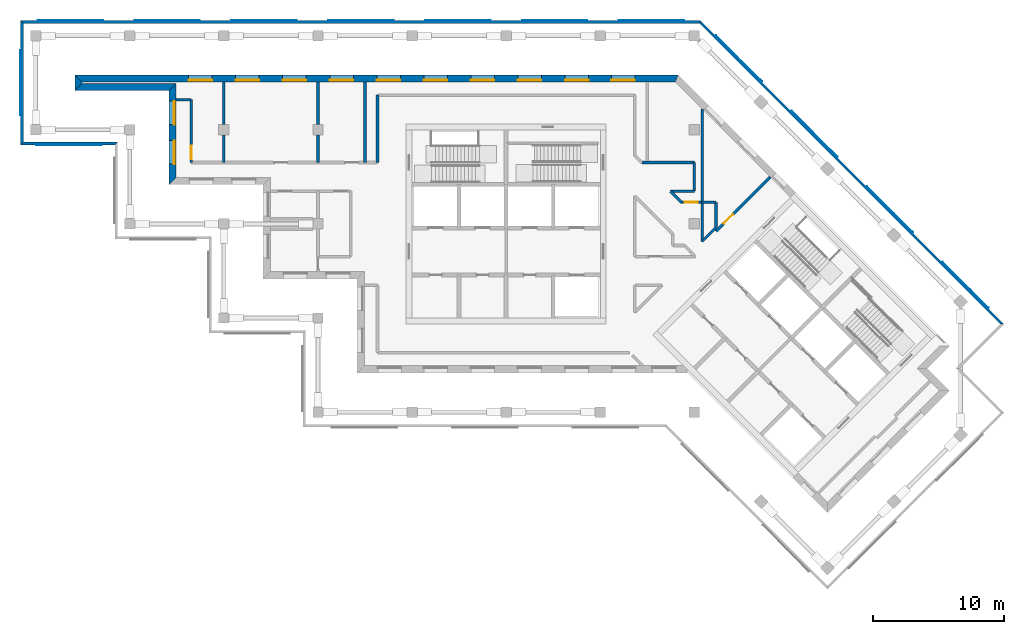
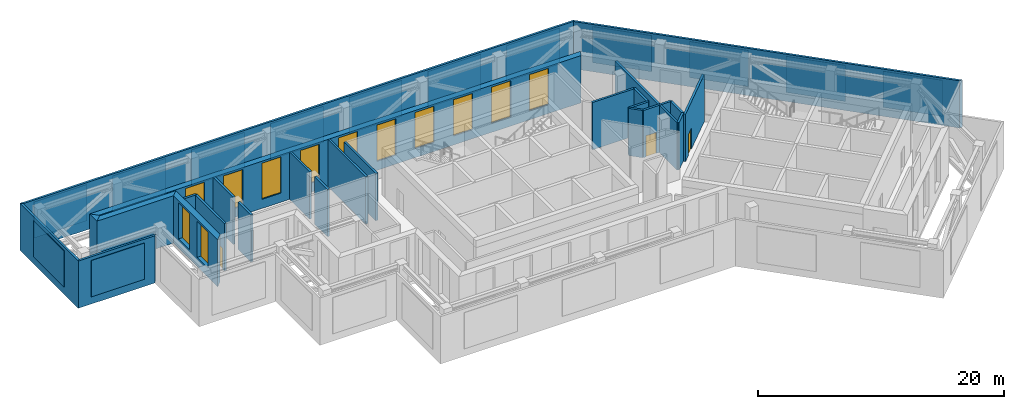
# One storey, part 5 of 9: 27 walls, 13 plates, 12 windows, 3 doors, 15 openings.
"""IFC4 building model written with IfcOpenShell, lengths in metres."""

from ifc_helpers import new_model, si_unit, direction, frame, frame_2d, origin, place, context, subcontext, project, spatial, polyline, rectangle, outline, extrude, material, layer, layer_set, type_object, element, fill, aggregate, save


model = new_model("IFC4")

# Units and contexts
model_context = context("Model", 3, precision=1e-05, world=origin(), true_north=direction((0.0, 1.0)))
body_context = subcontext(model_context, "Body", "Model", "MODEL_VIEW")
ifc_project = project(units=[si_unit("LENGTHUNIT", "METRE"), si_unit("AREAUNIT", "SQUARE_METRE"), si_unit("VOLUMEUNIT", "CUBIC_METRE"), si_unit("PLANEANGLEUNIT", "RADIAN"), si_unit("MASSUNIT", "GRAM", prefix="KILO")], contexts=[model_context])

# Plate
ifc_material_1 = material(Name="Aluminium louvre", Category="aluminium")
ifc_layer_1 = layer(ifc_material_1, 0.05)
ifc_layer_set_1 = layer_set([ifc_layer_1], Name="Belt louvre panel 5000x3600")
plate_type = type_object("IfcPlateType", Name="Belt louvre panel 5000x3600", PredefinedType="SHEET", material=ifc_layer_set_1)
site_placement = place(None, origin())
building_placement = place(site_placement, origin())
storey_placement = place(building_placement, frame((0.0, 0.0, 234.6)))
plate_1_placement = place(storey_placement, frame((101.7315, 51.1655, 0.75), z_axis=(0.7071167811, 0.7070967812, 0.0), x_axis=(-0.7070967812, 0.7071167811, 0.0)))
plate_1 = element("IfcPlate", 1, at=plate_1_placement, type_object=plate_type, Name="Belt louvre panel L64 10.1", PredefinedType="SHEET", context=body_context, shape_type="SweptSolid", body=[
    extrude(outline(polyline([(0.0, 0.0), (5.0, 0.0), (5.0, 3.6), (0.0, 3.6), (0.0, 0.0)])), origin(), (0.0, 0.0, -1.0), 0.05),
])

plate_2_placement = place(storey_placement, frame((95.9536, 56.9434, 0.75), z_axis=(0.7071167811, 0.7070967812, 0.0), x_axis=(-0.7070967812, 0.7071167811, 0.0)))
plate_2 = element("IfcPlate", 2, at=plate_2_placement, type_object=plate_type, Name="Belt louvre panel L64 11.2", PredefinedType="SHEET", context=body_context, shape_type="SweptSolid", body=[
    extrude(outline(polyline([(0.0, 0.0), (5.0, 0.0), (5.0, 3.6), (0.0, 3.6), (0.0, 0.0)])), origin(), (0.0, 0.0, -1.0), 0.05),
])

plate_3_placement = place(storey_placement, frame((90.1756, 62.7214, 0.75), z_axis=(0.7071067812, 0.7071067812, 0.0), x_axis=(-0.7071067812, 0.7071067812, 0.0)))
plate_3 = element("IfcPlate", 3, at=plate_3_placement, type_object=plate_type, Name="Belt louvre panel L64 12.3", PredefinedType="SHEET", context=body_context, shape_type="SweptSolid", body=[
    extrude(outline(polyline([(0.0, 0.0), (5.0, 0.0), (5.0, 3.6), (0.0, 3.6), (0.0, 0.0)])), origin(), (0.0, 0.0, -1.0), 0.05),
])

plate_4_placement = place(storey_placement, frame((84.3977, 68.4993, 0.75), z_axis=(0.7071167811, 0.7070967812, 0.0), x_axis=(-0.7070967812, 0.7071167811, 0.0)))
plate_4 = element("IfcPlate", 4, at=plate_4_placement, type_object=plate_type, Name="Belt louvre panel L64 13.4", PredefinedType="SHEET", context=body_context, shape_type="SweptSolid", body=[
    extrude(outline(polyline([(0.0, 0.0), (5.0, 0.0), (5.0, 3.6), (0.0, 3.6), (0.0, 0.0)])), origin(), (0.0, 0.0, -1.0), 0.05),
])

plate_5_placement = place(storey_placement, frame((78.4288, 73.2, 0.75), z_axis=(0.0, 1.0, 0.0), x_axis=(-1.0, 0.0, 0.0)))
plate_5 = element("IfcPlate", 5, at=plate_5_placement, type_object=plate_type, Name="Belt louvre panel L64 23.1", PredefinedType="SHEET", context=body_context, shape_type="SweptSolid", body=[
    extrude(outline(polyline([(0.0, 0.0), (5.0, 0.0), (5.0, 3.6), (0.0, 3.6), (0.0, 0.0)])), origin(), (0.0, 0.0, -1.0), 0.05),
])

plate_6_placement = place(storey_placement, frame((71.0167, 73.2, 0.75), z_axis=(0.0, 1.0, 0.0), x_axis=(-1.0, 0.0, 0.0)))
plate_6 = element("IfcPlate", 6, at=plate_6_placement, type_object=plate_type, Name="Belt louvre panel L64 24.2", PredefinedType="SHEET", context=body_context, shape_type="SweptSolid", body=[
    extrude(outline(polyline([(0.0, 0.0), (5.0, 0.0), (5.0, 3.6), (0.0, 3.6), (0.0, 0.0)])), origin(), (0.0, 0.0, -1.0), 0.05),
])

plate_7_placement = place(storey_placement, frame((63.6046, 73.2, 0.75), z_axis=(0.0, 1.0, 0.0), x_axis=(-1.0, 0.0, 0.0)))
plate_7 = element("IfcPlate", 7, at=plate_7_placement, type_object=plate_type, Name="Belt louvre panel L64 25.3", PredefinedType="SHEET", context=body_context, shape_type="SweptSolid", body=[
    extrude(outline(polyline([(0.0, 0.0), (5.0, 0.0), (5.0, 3.6), (0.0, 3.6), (0.0, 0.0)])), origin(), (0.0, 0.0, -1.0), 0.05),
])

plate_8_placement = place(storey_placement, frame((56.1924, 73.2, 0.75), z_axis=(0.0, 1.0, 0.0), x_axis=(-1.0, 0.0, 0.0)))
plate_8 = element("IfcPlate", 8, at=plate_8_placement, type_object=plate_type, Name="Belt louvre panel L64 26.4", PredefinedType="SHEET", context=body_context, shape_type="SweptSolid", body=[
    extrude(outline(polyline([(0.0, 0.0), (5.0, 0.0), (5.0, 3.6), (0.0, 3.6), (0.0, 0.0)])), origin(), (0.0, 0.0, -1.0), 0.05),
])

plate_9_placement = place(storey_placement, frame((48.7803, 73.2, 0.75), z_axis=(0.0, 1.0, 0.0), x_axis=(-1.0, 0.0, 0.0)))
plate_9 = element("IfcPlate", 9, at=plate_9_placement, type_object=plate_type, Name="Belt louvre panel L64 27.5", PredefinedType="SHEET", context=body_context, shape_type="SweptSolid", body=[
    extrude(outline(polyline([(0.0, 0.0), (5.0, 0.0), (5.0, 3.6), (0.0, 3.6), (0.0, 0.0)])), origin(), (0.0, 0.0, -1.0), 0.05),
])

plate_10_placement = place(storey_placement, frame((41.3682, 73.2, 0.75), z_axis=(0.0, 1.0, 0.0), x_axis=(-1.0, 0.0, 0.0)))
plate_10 = element("IfcPlate", 10, at=plate_10_placement, type_object=plate_type, Name="Belt louvre panel L64 28.6", PredefinedType="SHEET", context=body_context, shape_type="SweptSolid", body=[
    extrude(outline(polyline([(0.0, 0.0), (5.0, 0.0), (5.0, 3.6), (0.0, 3.6), (0.0, 0.0)])), origin(), (0.0, 0.0, -1.0), 0.05),
])

plate_11_placement = place(storey_placement, frame((33.956, 73.2, 0.75), z_axis=(0.0, 1.0, 0.0), x_axis=(-1.0, 0.0, 0.0)))
plate_11 = element("IfcPlate", 11, at=plate_11_placement, type_object=plate_type, Name="Belt louvre panel L64 29.7", PredefinedType="SHEET", context=body_context, shape_type="SweptSolid", body=[
    extrude(outline(polyline([(0.0, 0.0), (5.0, 0.0), (5.0, 3.6), (0.0, 3.6), (0.0, 0.0)])), origin(), (0.0, 0.0, -1.0), 0.05),
])

plate_12_placement = place(storey_placement, frame((27.6, 70.9, 0.75), z_axis=(-1.0, 0.0, 0.0), x_axis=(0.0, -1.0, 0.0)))
plate_12 = element("IfcPlate", 12, at=plate_12_placement, type_object=plate_type, Name="Belt louvre panel L64 33.1", PredefinedType="SHEET", context=body_context, shape_type="SweptSolid", body=[
    extrude(outline(polyline([(0.0, 0.0), (5.0, 0.0), (5.0, 3.6), (0.0, 3.6), (0.0, 0.0)])), origin(), (0.0, 0.0, -1.0), 0.05),
])

plate_13_placement = place(storey_placement, frame((28.85, 63.6, 0.75), z_axis=(0.0, -1.0, 0.0), x_axis=(1.0, 0.0, 0.0)))
plate_13 = element("IfcPlate", 13, at=plate_13_placement, type_object=plate_type, Name="Belt louvre panel L64 37.1", PredefinedType="SHEET", context=body_context, shape_type="SweptSolid", body=[
    extrude(outline(polyline([(0.0, 0.0), (5.0, 0.0), (5.0, 3.6), (0.0, 3.6), (0.0, 0.0)])), origin(), (0.0, 0.0, -1.0), 0.05),
])

# Site, building, storey
site = spatial("IfcSite", under=ifc_project, at=site_placement, CompositionType="ELEMENT")
building = spatial("IfcBuilding", under=site, at=building_placement, Name="Windrow Commons", CompositionType="ELEMENT")
storey = spatial("IfcBuildingStorey", under=building, at=storey_placement, Name="L64", CompositionType="ELEMENT", Elevation=234.6)

# Wall
ifc_material_2 = material(Name="Concrete C40/50 precast screen panel", Category="concrete")
ifc_layer_2 = layer(ifc_material_2, 0.2)
ifc_layer_set_2 = layer_set([ifc_layer_2], Name="Belt screen wall 200")
wall_type_1 = type_object("IfcWallType", Name="Belt screen wall 200", PredefinedType="SOLIDWALL", material=ifc_layer_set_2)
wall_1_placement = place(storey_placement, frame((102.7467, 49.9383, 0.0), z_axis=(0.0, 0.0, 1.0), x_axis=(-0.7071083109, 0.7071052514, 0.0)))
wall_1 = element("IfcWall", 14, at=wall_1_placement, inside=storey, type_object=wall_type_1, Name="Belt screen wall L64 10", PredefinedType="SOLIDWALL", context=body_context, shape_type="SweptSolid", body=[
    extrude(outline(polyline([(-0.1, -0.1), (32.7263, -0.1), (32.6435, 0.1), (0.1, 0.1), (-0.1, -0.1)])), origin(), (0.0, 0.0, 1.0), 4.7),
])

aggregate(wall_1, [plate_1, plate_2, plate_3, plate_4])

wall_2_placement = place(storey_placement, frame((79.6349, 73.05, 0.0), z_axis=(0.0, 0.0, 1.0), x_axis=(-1.0, 0.0, 0.0)))
wall_2 = element("IfcWall", 15, at=wall_2_placement, inside=storey, type_object=wall_type_1, Name="Belt screen wall L64 23", PredefinedType="SOLIDWALL", context=body_context, shape_type="SweptSolid", body=[
    extrude(outline(polyline([(-0.0414, -0.1), (51.9849, -0.1), (51.7849, 0.1), (0.0414, 0.1), (-0.0414, -0.1)])), origin(), (0.0, 0.0, 1.0), 4.7),
])

aggregate(wall_2, [plate_5, plate_6, plate_7, plate_8, plate_9, plate_10, plate_11])

wall_3_placement = place(storey_placement, frame((27.75, 73.05, 0.0), z_axis=(0.0, 0.0, 1.0), x_axis=(0.0, -1.0, 0.0)))
wall_3 = element("IfcWall", 16, at=wall_3_placement, inside=storey, type_object=wall_type_1, Name="Belt screen wall L64 33", PredefinedType="SOLIDWALL", context=body_context, shape_type="SweptSolid", body=[
    extrude(outline(polyline([(-0.1, -0.1), (9.4, -0.1), (9.2, 0.1), (0.1, 0.1), (-0.1, -0.1)])), origin(), (0.0, 0.0, 1.0), 4.7),
])

aggregate(wall_3, [plate_12])

wall_4_placement = place(storey_placement, frame((27.75, 63.75, 0.0), z_axis=(0.0, 0.0, 1.0), x_axis=(1.0, 0.0, 0.0)))
wall_4 = element("IfcWall", 17, at=wall_4_placement, inside=storey, type_object=wall_type_1, Name="Belt screen wall L64 37", PredefinedType="SOLIDWALL", context=body_context, shape_type="SweptSolid", body=[
    extrude(outline(polyline([(-0.1, -0.1), (7.1, -0.1), (7.3, 0.1), (0.1, 0.1), (-0.1, -0.1)])), origin(), (0.0, 0.0, 1.0), 4.7),
])

aggregate(wall_4, [plate_13])

# Wall, openings, windows
ifc_material_3 = material(Name="Brick masonry, red clay brick", Category="masonry")
ifc_layer_3 = layer(ifc_material_3, 0.55)
ifc_layer_set_3 = layer_set([ifc_layer_3], Name="Brick facade wall 550")
wall_type_2 = type_object("IfcWallType", Name="Brick facade wall 550", PredefinedType="SOLIDWALL", material=ifc_layer_set_3)
wall_5_placement = place(storey_placement, frame((77.8435, 68.725, 0.0), z_axis=(0.0, 0.0, 1.0), x_axis=(-1.0, 0.0, 0.0)))
wall_5 = element("IfcWall", 18, at=wall_5_placement, inside=storey, type_object=wall_type_2, Name="Brick facade wall L64 4", PredefinedType="SOLIDWALL", context=body_context, shape_type="SweptSolid", body=[
    extrude(outline(polyline([(-0.1139, -0.275), (46.0435, -0.275), (45.4935, 0.275), (0.1139, 0.275), (-0.1139, -0.275)])), origin(), (0.0, 0.0, 1.0), 4.7),
])
opening_1_placement = place(wall_5_placement, frame((3.1935, 0.0, 0.9)))
opening_1 = element("IfcOpeningElement", 19, at=opening_1_placement, cuts=wall_5, Name="Opening LV2", PredefinedType="OPENING", context=body_context, shape_type="SweptSolid", body=[
    extrude(rectangle(XDim=1.8, YDim=3.6, at=frame_2d((0.9, 1.8))), frame((0.0, 0.285, 0.0), z_axis=(0.0, -1.0, 0.0), x_axis=(1.0, 0.0, 0.0)), (0.0, 0.0, 1.0), 0.57),
])
opening_2_placement = place(wall_5_placement, frame((6.7435, 0.0, 0.9)))
opening_2 = element("IfcOpeningElement", 20, at=opening_2_placement, cuts=wall_5, Name="Opening LV2", PredefinedType="OPENING", context=body_context, shape_type="SweptSolid", body=[
    extrude(rectangle(XDim=1.8, YDim=3.6, at=frame_2d((0.9, 1.8))), frame((0.0, 0.285, 0.0), z_axis=(0.0, -1.0, 0.0), x_axis=(1.0, 0.0, 0.0)), (0.0, 0.0, 1.0), 0.57),
])
opening_3_placement = place(wall_5_placement, frame((10.3435, 0.0, 0.9)))
opening_3 = element("IfcOpeningElement", 21, at=opening_3_placement, cuts=wall_5, Name="Opening LV2", PredefinedType="OPENING", context=body_context, shape_type="SweptSolid", body=[
    extrude(rectangle(XDim=1.8, YDim=3.6, at=frame_2d((0.9, 1.8))), frame((0.0, 0.285, 0.0), z_axis=(0.0, -1.0, 0.0), x_axis=(1.0, 0.0, 0.0)), (0.0, 0.0, 1.0), 0.57),
])
opening_4_placement = place(wall_5_placement, frame((13.9435, 0.0, 0.9)))
opening_4 = element("IfcOpeningElement", 22, at=opening_4_placement, cuts=wall_5, Name="Opening LV2", PredefinedType="OPENING", context=body_context, shape_type="SweptSolid", body=[
    extrude(rectangle(XDim=1.8, YDim=3.6, at=frame_2d((0.9, 1.8))), frame((0.0, 0.285, 0.0), z_axis=(0.0, -1.0, 0.0), x_axis=(1.0, 0.0, 0.0)), (0.0, 0.0, 1.0), 0.57),
])
opening_5_placement = place(wall_5_placement, frame((17.5435, 0.0, 0.9)))
opening_5 = element("IfcOpeningElement", 23, at=opening_5_placement, cuts=wall_5, Name="Opening LV2", PredefinedType="OPENING", context=body_context, shape_type="SweptSolid", body=[
    extrude(rectangle(XDim=1.8, YDim=3.6, at=frame_2d((0.9, 1.8))), frame((0.0, 0.285, 0.0), z_axis=(0.0, -1.0, 0.0), x_axis=(1.0, 0.0, 0.0)), (0.0, 0.0, 1.0), 0.57),
])
opening_6_placement = place(wall_5_placement, frame((21.1435, 0.0, 0.9)))
opening_6 = element("IfcOpeningElement", 24, at=opening_6_placement, cuts=wall_5, Name="Opening LV2", PredefinedType="OPENING", context=body_context, shape_type="SweptSolid", body=[
    extrude(rectangle(XDim=1.8, YDim=3.6, at=frame_2d((0.9, 1.8))), frame((0.0, 0.285, 0.0), z_axis=(0.0, -1.0, 0.0), x_axis=(1.0, 0.0, 0.0)), (0.0, 0.0, 1.0), 0.57),
])
opening_7_placement = place(wall_5_placement, frame((24.7435, 0.0, 0.9)))
opening_7 = element("IfcOpeningElement", 25, at=opening_7_placement, cuts=wall_5, Name="Opening LV2", PredefinedType="OPENING", context=body_context, shape_type="SweptSolid", body=[
    extrude(rectangle(XDim=1.8, YDim=3.6, at=frame_2d((0.9, 1.8))), frame((0.0, 0.285, 0.0), z_axis=(0.0, -1.0, 0.0), x_axis=(1.0, 0.0, 0.0)), (0.0, 0.0, 1.0), 0.57),
])
opening_8_placement = place(wall_5_placement, frame((28.3435, 0.0, 0.9)))
opening_8 = element("IfcOpeningElement", 26, at=opening_8_placement, cuts=wall_5, Name="Opening LV2", PredefinedType="OPENING", context=body_context, shape_type="SweptSolid", body=[
    extrude(rectangle(XDim=1.8, YDim=3.6, at=frame_2d((0.9, 1.8))), frame((0.0, 0.285, 0.0), z_axis=(0.0, -1.0, 0.0), x_axis=(1.0, 0.0, 0.0)), (0.0, 0.0, 1.0), 0.57),
])
opening_9_placement = place(wall_5_placement, frame((31.9435, 0.0, 0.9)))
opening_9 = element("IfcOpeningElement", 27, at=opening_9_placement, cuts=wall_5, Name="Opening LV2", PredefinedType="OPENING", context=body_context, shape_type="SweptSolid", body=[
    extrude(rectangle(XDim=1.8, YDim=3.6, at=frame_2d((0.9, 1.8))), frame((0.0, 0.285, 0.0), z_axis=(0.0, -1.0, 0.0), x_axis=(1.0, 0.0, 0.0)), (0.0, 0.0, 1.0), 0.57),
])
opening_10_placement = place(wall_5_placement, frame((35.5435, 0.0, 0.9)))
opening_10 = element("IfcOpeningElement", 28, at=opening_10_placement, cuts=wall_5, Name="Opening LV2", PredefinedType="OPENING", context=body_context, shape_type="SweptSolid", body=[
    extrude(rectangle(XDim=1.8, YDim=3.6, at=frame_2d((0.9, 1.8))), frame((0.0, 0.285, 0.0), z_axis=(0.0, -1.0, 0.0), x_axis=(1.0, 0.0, 0.0)), (0.0, 0.0, 1.0), 0.57),
])
ifc_material_4 = material(Name="Aluminium 6063-T6 anodised louvre", Category="aluminium")
window_type = type_object("IfcWindowType", Name="Plant louvre 1800x3600", PartitioningType="SINGLE_PANEL", PredefinedType="WINDOW", material=ifc_material_4)
window_1_placement = place(opening_1_placement, origin())
window_1 = element("IfcWindow", 29, at=window_1_placement, inside=storey, type_object=window_type, Name="Louvre L64 4.1", OverallHeight=3.6, OverallWidth=1.8, PartitioningType="SINGLE_PANEL", PredefinedType="WINDOW", context=body_context, shape_type="SweptSolid", body=[
    extrude(rectangle(XDim=1.8, YDim=3.6, at=frame_2d((0.9, 1.8))), frame((0.0, 0.155, 0.0), z_axis=(0.0, -1.0, 0.0), x_axis=(1.0, 0.0, 0.0)), (0.0, 0.0, 1.0), 0.06),
])
fill(opening_1, window_1)
window_2_placement = place(opening_2_placement, origin())
window_2 = element("IfcWindow", 30, at=window_2_placement, inside=storey, type_object=window_type, Name="Louvre L64 4.2", OverallHeight=3.6, OverallWidth=1.8, PartitioningType="SINGLE_PANEL", PredefinedType="WINDOW", context=body_context, shape_type="SweptSolid", body=[
    extrude(rectangle(XDim=1.8, YDim=3.6, at=frame_2d((0.9, 1.8))), frame((0.0, 0.155, 0.0), z_axis=(0.0, -1.0, 0.0), x_axis=(1.0, 0.0, 0.0)), (0.0, 0.0, 1.0), 0.06),
])
fill(opening_2, window_2)
window_3_placement = place(opening_3_placement, origin())
window_3 = element("IfcWindow", 31, at=window_3_placement, inside=storey, type_object=window_type, Name="Louvre L64 4.3", OverallHeight=3.6, OverallWidth=1.8, PartitioningType="SINGLE_PANEL", PredefinedType="WINDOW", context=body_context, shape_type="SweptSolid", body=[
    extrude(rectangle(XDim=1.8, YDim=3.6, at=frame_2d((0.9, 1.8))), frame((0.0, 0.155, 0.0), z_axis=(0.0, -1.0, 0.0), x_axis=(1.0, 0.0, 0.0)), (0.0, 0.0, 1.0), 0.06),
])
fill(opening_3, window_3)
window_4_placement = place(opening_4_placement, origin())
window_4 = element("IfcWindow", 32, at=window_4_placement, inside=storey, type_object=window_type, Name="Louvre L64 4.4", OverallHeight=3.6, OverallWidth=1.8, PartitioningType="SINGLE_PANEL", PredefinedType="WINDOW", context=body_context, shape_type="SweptSolid", body=[
    extrude(rectangle(XDim=1.8, YDim=3.6, at=frame_2d((0.9, 1.8))), frame((0.0, 0.155, 0.0), z_axis=(0.0, -1.0, 0.0), x_axis=(1.0, 0.0, 0.0)), (0.0, 0.0, 1.0), 0.06),
])
fill(opening_4, window_4)
window_5_placement = place(opening_5_placement, origin())
window_5 = element("IfcWindow", 33, at=window_5_placement, inside=storey, type_object=window_type, Name="Louvre L64 4.5", OverallHeight=3.6, OverallWidth=1.8, PartitioningType="SINGLE_PANEL", PredefinedType="WINDOW", context=body_context, shape_type="SweptSolid", body=[
    extrude(rectangle(XDim=1.8, YDim=3.6, at=frame_2d((0.9, 1.8))), frame((0.0, 0.155, 0.0), z_axis=(0.0, -1.0, 0.0), x_axis=(1.0, 0.0, 0.0)), (0.0, 0.0, 1.0), 0.06),
])
fill(opening_5, window_5)
window_6_placement = place(opening_6_placement, origin())
window_6 = element("IfcWindow", 34, at=window_6_placement, inside=storey, type_object=window_type, Name="Louvre L64 4.6", OverallHeight=3.6, OverallWidth=1.8, PartitioningType="SINGLE_PANEL", PredefinedType="WINDOW", context=body_context, shape_type="SweptSolid", body=[
    extrude(rectangle(XDim=1.8, YDim=3.6, at=frame_2d((0.9, 1.8))), frame((0.0, 0.155, 0.0), z_axis=(0.0, -1.0, 0.0), x_axis=(1.0, 0.0, 0.0)), (0.0, 0.0, 1.0), 0.06),
])
fill(opening_6, window_6)
window_7_placement = place(opening_7_placement, origin())
window_7 = element("IfcWindow", 35, at=window_7_placement, inside=storey, type_object=window_type, Name="Louvre L64 4.7", OverallHeight=3.6, OverallWidth=1.8, PartitioningType="SINGLE_PANEL", PredefinedType="WINDOW", context=body_context, shape_type="SweptSolid", body=[
    extrude(rectangle(XDim=1.8, YDim=3.6, at=frame_2d((0.9, 1.8))), frame((0.0, 0.155, 0.0), z_axis=(0.0, -1.0, 0.0), x_axis=(1.0, 0.0, 0.0)), (0.0, 0.0, 1.0), 0.06),
])
fill(opening_7, window_7)
window_8_placement = place(opening_8_placement, origin())
window_8 = element("IfcWindow", 36, at=window_8_placement, inside=storey, type_object=window_type, Name="Louvre L64 4.8", OverallHeight=3.6, OverallWidth=1.8, PartitioningType="SINGLE_PANEL", PredefinedType="WINDOW", context=body_context, shape_type="SweptSolid", body=[
    extrude(rectangle(XDim=1.8, YDim=3.6, at=frame_2d((0.9, 1.8))), frame((0.0, 0.155, 0.0), z_axis=(0.0, -1.0, 0.0), x_axis=(1.0, 0.0, 0.0)), (0.0, 0.0, 1.0), 0.06),
])
fill(opening_8, window_8)
window_9_placement = place(opening_9_placement, origin())
window_9 = element("IfcWindow", 37, at=window_9_placement, inside=storey, type_object=window_type, Name="Louvre L64 4.9", OverallHeight=3.6, OverallWidth=1.8, PartitioningType="SINGLE_PANEL", PredefinedType="WINDOW", context=body_context, shape_type="SweptSolid", body=[
    extrude(rectangle(XDim=1.8, YDim=3.6, at=frame_2d((0.9, 1.8))), frame((0.0, 0.155, 0.0), z_axis=(0.0, -1.0, 0.0), x_axis=(1.0, 0.0, 0.0)), (0.0, 0.0, 1.0), 0.06),
])
fill(opening_9, window_9)
window_10_placement = place(opening_10_placement, origin())
window_10 = element("IfcWindow", 38, at=window_10_placement, inside=storey, type_object=window_type, Name="Louvre L64 4.10", OverallHeight=3.6, OverallWidth=1.8, PartitioningType="SINGLE_PANEL", PredefinedType="WINDOW", context=body_context, shape_type="SweptSolid", body=[
    extrude(rectangle(XDim=1.8, YDim=3.6, at=frame_2d((0.9, 1.8))), frame((0.0, 0.155, 0.0), z_axis=(0.0, -1.0, 0.0), x_axis=(1.0, 0.0, 0.0)), (0.0, 0.0, 1.0), 0.06),
])
fill(opening_10, window_10)

# Walls
wall_6_placement = place(storey_placement, frame((32.075, 68.725, 0.0), z_axis=(0.0, 0.0, 1.0), x_axis=(0.0, -1.0, 0.0)))
element("IfcWall", 39, at=wall_6_placement, inside=storey, type_object=wall_type_2, Name="Brick facade wall L64 5", PredefinedType="SOLIDWALL", context=body_context, shape_type="SweptSolid", body=[
    extrude(outline(polyline([(-0.275, -0.275), (0.925, -0.275), (0.375, 0.275), (0.275, 0.275), (-0.275, -0.275)])), origin(), (0.0, 0.0, 1.0), 4.7),
])
wall_7_placement = place(storey_placement, frame((32.075, 68.075, 0.0), z_axis=(0.0, 0.0, 1.0), x_axis=(1.0, 0.0, 0.0)))
element("IfcWall", 40, at=wall_7_placement, inside=storey, type_object=wall_type_2, Name="Brick facade wall L64 6", PredefinedType="SOLIDWALL", context=body_context, shape_type="SweptSolid", body=[
    extrude(outline(polyline([(-0.275, -0.275), (6.925, -0.275), (7.475, 0.275), (0.275, 0.275), (-0.275, -0.275)])), origin(), (0.0, 0.0, 1.0), 4.7),
])

# Wall, openings, windows
wall_8_placement = place(storey_placement, frame((39.275, 68.075, 0.0), z_axis=(0.0, 0.0, 1.0), x_axis=(0.0, -1.0, 0.0)))
wall_8 = element("IfcWall", 41, at=wall_8_placement, inside=storey, type_object=wall_type_2, Name="Brick facade wall L64 7", PredefinedType="SOLIDWALL", context=body_context, shape_type="SweptSolid", body=[
    extrude(outline(polyline([(0.275, -0.275), (7.475, -0.275), (6.925, 0.275), (-0.275, 0.275), (0.275, -0.275)])), origin(), (0.0, 0.0, 1.0), 4.7),
])
opening_11_placement = place(wall_8_placement, frame((1.0875, 0.0, 0.9)))
opening_11 = element("IfcOpeningElement", 42, at=opening_11_placement, cuts=wall_8, Name="Opening LV2", PredefinedType="OPENING", context=body_context, shape_type="SweptSolid", body=[
    extrude(rectangle(XDim=1.8, YDim=3.6, at=frame_2d((0.9, 1.8))), frame((0.0, 0.285, 0.0), z_axis=(0.0, -1.0, 0.0), x_axis=(1.0, 0.0, 0.0)), (0.0, 0.0, 1.0), 0.57),
])
opening_12_placement = place(wall_8_placement, frame((4.1, 0.0, 0.9)))
opening_12 = element("IfcOpeningElement", 43, at=opening_12_placement, cuts=wall_8, Name="Opening LV2", PredefinedType="OPENING", context=body_context, shape_type="SweptSolid", body=[
    extrude(rectangle(XDim=1.8, YDim=3.6, at=frame_2d((0.9, 1.8))), frame((0.0, 0.285, 0.0), z_axis=(0.0, -1.0, 0.0), x_axis=(1.0, 0.0, 0.0)), (0.0, 0.0, 1.0), 0.57),
])
window_11_placement = place(opening_11_placement, origin())
window_11 = element("IfcWindow", 44, at=window_11_placement, inside=storey, type_object=window_type, Name="Louvre L64 7.1", OverallHeight=3.6, OverallWidth=1.8, PartitioningType="SINGLE_PANEL", PredefinedType="WINDOW", context=body_context, shape_type="SweptSolid", body=[
    extrude(rectangle(XDim=1.8, YDim=3.6, at=frame_2d((0.9, 1.8))), frame((0.0, 0.155, 0.0), z_axis=(0.0, -1.0, 0.0), x_axis=(1.0, 0.0, 0.0)), (0.0, 0.0, 1.0), 0.06),
])
fill(opening_11, window_11)
window_12_placement = place(opening_12_placement, origin())
window_12 = element("IfcWindow", 45, at=window_12_placement, inside=storey, type_object=window_type, Name="Louvre L64 7.2", OverallHeight=3.6, OverallWidth=1.8, PartitioningType="SINGLE_PANEL", PredefinedType="WINDOW", context=body_context, shape_type="SweptSolid", body=[
    extrude(rectangle(XDim=1.8, YDim=3.6, at=frame_2d((0.9, 1.8))), frame((0.0, 0.155, 0.0), z_axis=(0.0, -1.0, 0.0), x_axis=(1.0, 0.0, 0.0)), (0.0, 0.0, 1.0), 0.06),
])
fill(opening_12, window_12)

# Wall, opening, door
ifc_material_5 = material(Name="Blockwork partition", Category="masonry")
ifc_layer_4 = layer(ifc_material_5, 0.2)
ifc_layer_set_4 = layer_set([ifc_layer_4], Name="IW-CORRIDOR-200")
wall_type_3 = type_object("IfcWallType", Name="IW-CORRIDOR-200", PredefinedType="PARTITIONING", material=ifc_layer_set_4)
wall_9_placement = place(storey_placement, frame((80.8497, 57.0343, 0.0), z_axis=(0.0, 0.0, 1.0), x_axis=(0.7071067812, 0.7071067812, 0.0)))
wall_9 = element("IfcWall", 46, at=wall_9_placement, inside=storey, type_object=wall_type_3, Name="W-L64-W008", PredefinedType="PARTITIONING", context=body_context, shape_type="SweptSolid", body=[
    extrude(rectangle(XDim=5.8659, YDim=0.2, at=frame_2d((2.9329, 0.0))), origin(), (0.0, 0.0, 1.0), 4.7),
])
opening_13_placement = place(wall_9_placement, frame((0.839, 0.0, 0.0)))
opening_13 = element("IfcOpeningElement", 47, at=opening_13_placement, cuts=wall_9, Name="Opening D410F", PredefinedType="OPENING", context=body_context, shape_type="SweptSolid", body=[
    extrude(rectangle(XDim=1.0, YDim=2.1, at=frame_2d((0.5, 1.05))), frame((0.0, 0.11, 0.0), z_axis=(0.0, -1.0, 0.0), x_axis=(1.0, 0.0, 0.0)), (0.0, 0.0, 1.0), 0.22),
])
ifc_material_6 = material(Name="Timber door leaf", Category="wood")
door_type = type_object("IfcDoorType", Name="DT-SERVICE-1000", OperationType="SINGLE_SWING_LEFT", PredefinedType="DOOR", material=ifc_material_6)
door_1_placement = place(opening_13_placement, origin())
door_1 = element("IfcDoor", 48, at=door_1_placement, inside=storey, type_object=door_type, Name="D-L64-D007", OperationType="SINGLE_SWING_RIGHT", OverallHeight=2.1, OverallWidth=1.0, PredefinedType="DOOR", context=body_context, shape_type="SweptSolid", body=[
    extrude(rectangle(XDim=1.0, YDim=2.1, at=frame_2d((0.5, 1.05))), frame((0.0, 0.025, 0.0), z_axis=(0.0, -1.0, 0.0), x_axis=(1.0, 0.0, 0.0)), (0.0, 0.0, 1.0), 0.05),
])
fill(opening_13, door_1)

# Wall
wall_10_placement = place(storey_placement, frame((54.95, 62.302, 0.0), z_axis=(0.0, 0.0, 1.0), x_axis=(0.0, 1.0, 0.0)))
element("IfcWall", 49, at=wall_10_placement, inside=storey, type_object=wall_type_3, Name="W-L64-W010", PredefinedType="PARTITIONING", context=body_context, shape_type="SweptSolid", body=[
    extrude(rectangle(XDim=5.148, YDim=0.2, at=frame_2d((2.574, 0.0))), origin(), (0.0, 0.0, 1.0), 4.7),
])

# Wall, opening, door
wall_11_placement = place(storey_placement, frame((40.7, 62.302, 0.0), z_axis=(0.0, 0.0, 1.0), x_axis=(0.0, 1.0, 0.0)))
wall_11 = element("IfcWall", 50, at=wall_11_placement, inside=storey, type_object=wall_type_3, Name="W-L64-W012", PredefinedType="PARTITIONING", context=body_context, shape_type="SweptSolid", body=[
    extrude(rectangle(XDim=4.798, YDim=0.2, at=frame_2d((2.399, 0.0))), origin(), (0.0, 0.0, 1.0), 4.7),
])
opening_14_placement = place(wall_11_placement, frame((0.2621, 0.0, 0.0)))
opening_14 = element("IfcOpeningElement", 51, at=opening_14_placement, cuts=wall_11, Name="Opening D410F", PredefinedType="OPENING", context=body_context, shape_type="SweptSolid", body=[
    extrude(rectangle(XDim=1.0, YDim=2.1, at=frame_2d((0.5, 1.05))), frame((0.0, 0.11, 0.0), z_axis=(0.0, -1.0, 0.0), x_axis=(1.0, 0.0, 0.0)), (0.0, 0.0, 1.0), 0.22),
])
door_2_placement = place(opening_14_placement, origin())
door_2 = element("IfcDoor", 52, at=door_2_placement, inside=storey, type_object=door_type, Name="D-L64-D003", OperationType="SINGLE_SWING_LEFT", OverallHeight=2.1, OverallWidth=1.0, PredefinedType="DOOR", context=body_context, shape_type="SweptSolid", body=[
    extrude(rectangle(XDim=1.0, YDim=2.1, at=frame_2d((0.5, 1.05))), frame((0.0, 0.025, 0.0), z_axis=(0.0, -1.0, 0.0), x_axis=(1.0, 0.0, 0.0)), (0.0, 0.0, 1.0), 0.05),
])
fill(opening_14, door_2)

# Walls
wall_12_placement = place(storey_placement, frame((75.182, 62.3, 0.0), z_axis=(0.0, 0.0, 1.0), x_axis=(1.0, 0.0, 0.0)))
element("IfcWall", 53, at=wall_12_placement, inside=storey, type_object=wall_type_3, Name="W-L64-W016", PredefinedType="PARTITIONING", context=body_context, shape_type="SweptSolid", body=[
    extrude(rectangle(XDim=4.018, YDim=0.2, at=frame_2d((2.009, 0.0))), origin(), (0.0, 0.0, 1.0), 4.7),
])
wall_13_placement = place(storey_placement, frame((79.8, 56.268, 0.0), z_axis=(0.0, 0.0, 1.0), x_axis=(0.0, 1.0, 0.0)))
element("IfcWall", 54, at=wall_13_placement, inside=storey, type_object=wall_type_3, Name="W-L64-W022", PredefinedType="PARTITIONING", context=body_context, shape_type="SweptSolid", body=[
    extrude(rectangle(XDim=2.982, YDim=0.2, at=frame_2d((1.491, 0.0))), origin(), (0.0, 0.0, 1.0), 4.7),
])
wall_14_placement = place(storey_placement, frame((79.2, 60.102, 0.0), z_axis=(0.0, 0.0, 1.0), x_axis=(0.0, 1.0, 0.0)))
element("IfcWall", 55, at=wall_14_placement, inside=storey, type_object=wall_type_3, Name="W-L64-W027", PredefinedType="PARTITIONING", context=body_context, shape_type="SweptSolid", body=[
    extrude(rectangle(XDim=2.198, YDim=0.2, at=frame_2d((1.099, 0.0))), origin(), (0.0, 0.0, 1.0), 4.7),
])
wall_15_placement = place(storey_placement, frame((77.384, 60.1, 0.0), z_axis=(0.0, 0.0, 1.0), x_axis=(1.0, 0.0, 0.0)))
element("IfcWall", 56, at=wall_15_placement, inside=storey, type_object=wall_type_3, Name="W-L64-W035", PredefinedType="PARTITIONING", context=body_context, shape_type="SweptSolid", body=[
    extrude(rectangle(XDim=1.814, YDim=0.2, at=frame_2d((0.907, 0.0))), origin(), (0.0, 0.0, 1.0), 4.7),
])

# Wall, opening, door
wall_16_placement = place(storey_placement, frame((78.232, 59.25, 0.0), z_axis=(0.0, 0.0, 1.0), x_axis=(1.0, 0.0, 0.0)))
wall_16 = element("IfcWall", 57, at=wall_16_placement, inside=storey, type_object=wall_type_3, Name="W-L64-W037", PredefinedType="PARTITIONING", context=body_context, shape_type="SweptSolid", body=[
    extrude(rectangle(XDim=1.568, YDim=0.2, at=frame_2d((0.784, 0.0))), origin(), (0.0, 0.0, 1.0), 4.7),
])
opening_15_placement = place(wall_16_placement, frame((0.2196, 0.0, 0.0)))
opening_15 = element("IfcOpeningElement", 58, at=opening_15_placement, cuts=wall_16, Name="Opening D410F", PredefinedType="OPENING", context=body_context, shape_type="SweptSolid", body=[
    extrude(rectangle(XDim=1.0, YDim=2.1, at=frame_2d((0.5, 1.05))), frame((0.0, 0.11, 0.0), z_axis=(0.0, -1.0, 0.0), x_axis=(1.0, 0.0, 0.0)), (0.0, 0.0, 1.0), 0.22),
])
door_3_placement = place(opening_15_placement, origin())
door_3 = element("IfcDoor", 59, at=door_3_placement, inside=storey, type_object=door_type, Name="D-L64-D006", OperationType="SINGLE_SWING_LEFT", OverallHeight=2.1, OverallWidth=1.0, PredefinedType="DOOR", context=body_context, shape_type="SweptSolid", body=[
    extrude(rectangle(XDim=1.0, YDim=2.1, at=frame_2d((0.5, 1.05))), frame((0.0, 0.025, 0.0), z_axis=(0.0, -1.0, 0.0), x_axis=(1.0, 0.0, 0.0)), (0.0, 0.0, 1.0), 0.05),
])
fill(opening_15, door_3)

# Walls
wall_17_placement = place(storey_placement, frame((79.8013, 56.2687, 0.0), z_axis=(0.0, 0.0, 1.0), x_axis=(0.7071067812, 0.7071067812, 0.0)))
element("IfcWall", 60, at=wall_17_placement, inside=storey, type_object=wall_type_3, Name="W-L64-W038", PredefinedType="PARTITIONING", context=body_context, shape_type="SweptSolid", body=[
    extrude(rectangle(XDim=1.4821, YDim=0.2, at=frame_2d((0.741, 0.0))), origin(), (0.0, 0.0, 1.0), 4.7),
])
wall_18_placement = place(storey_placement, frame((77.3809, 60.0949, 0.0), z_axis=(0.0, 0.0, 1.0), x_axis=(0.7071067812, -0.7071067812, 0.0)))
element("IfcWall", 61, at=wall_18_placement, inside=storey, type_object=wall_type_3, Name="W-L64-W039", PredefinedType="PARTITIONING", context=body_context, shape_type="SweptSolid", body=[
    extrude(rectangle(XDim=1.1993, YDim=0.2, at=frame_2d((0.5997, 0.0))), origin(), (0.0, 0.0, 1.0), 4.7),
])
wall_19_placement = place(storey_placement, frame((39.55, 67.1, 0.0), z_axis=(0.0, 0.0, 1.0), x_axis=(1.0, 0.0, 0.0)))
element("IfcWall", 62, at=wall_19_placement, inside=storey, type_object=wall_type_3, Name="W-L64-W040", PredefinedType="PARTITIONING", context=body_context, shape_type="SweptSolid", body=[
    extrude(rectangle(XDim=1.15, YDim=0.2, at=frame_2d((0.575, 0.0))), origin(), (0.0, 0.0, 1.0), 4.7),
])
ifc_material_7 = material(Name="Blockwork partition", Category="masonry")
ifc_layer_5 = layer(ifc_material_7, 0.2)
ifc_layer_set_5 = layer_set([ifc_layer_5], Name="IW-PARTY-200")
wall_type_4 = type_object("IfcWallType", Name="IW-PARTY-200", PredefinedType="PARTITIONING", material=ifc_layer_set_5)
wall_20_placement = place(storey_placement, frame((79.8, 59.25, 0.0), z_axis=(0.0, 0.0, 1.0), x_axis=(0.0, 1.0, 0.0)))
element("IfcWall", 63, at=wall_20_placement, inside=storey, type_object=wall_type_4, Name="W-L64-W003", PredefinedType="PARTITIONING", context=body_context, shape_type="SweptSolid", body=[
    extrude(rectangle(XDim=7.1296, YDim=0.2, at=frame_2d((3.5648, 0.0))), origin(), (0.0, 0.0, 1.0), 4.7),
])
wall_21_placement = place(storey_placement, frame((54.0, 62.3, 0.0), z_axis=(0.0, 0.0, 1.0), x_axis=(0.0, 1.0, 0.0)))
element("IfcWall", 64, at=wall_21_placement, inside=storey, type_object=wall_type_4, Name="W-L64-W005", PredefinedType="PARTITIONING", context=body_context, shape_type="SweptSolid", body=[
    extrude(rectangle(XDim=6.15, YDim=0.2, at=frame_2d((3.075, 0.0))), origin(), (0.0, 0.0, 1.0), 4.7),
])
for number, where, z_axis, x_axis, name in (
    (65, (43.2, 65.2, 0.0), (0.0, 0.0, 1.0), (0.0, 1.0, 0.0), "W-L64-W020"),
    (66, (50.4, 65.2, 0.0), (0.0, 0.0, 1.0), (0.0, 1.0, 0.0), "W-L64-W021"),
):
    element("IfcWall", number, at=place(storey_placement, frame(where, z_axis=z_axis, x_axis=x_axis)), inside=storey, type_object=wall_type_4, Name=name, PredefinedType="PARTITIONING", context=body_context, shape_type="SweptSolid", body=[
        extrude(rectangle(XDim=3.25, YDim=0.2, at=frame_2d((1.625, 0.0))), origin(), (0.0, 0.0, 1.0), 4.7),
    ])
for number, where, z_axis, x_axis, name in (
    (67, (43.2, 62.3, 0.0), (0.0, 0.0, 1.0), (0.0, 1.0, 0.0), "W-L64-W028"),
    (68, (50.4, 62.3, 0.0), (0.0, 0.0, 1.0), (0.0, 1.0, 0.0), "W-L64-W029"),
):
    element("IfcWall", number, at=place(storey_placement, frame(where, z_axis=z_axis, x_axis=x_axis)), inside=storey, type_object=wall_type_4, Name=name, PredefinedType="PARTITIONING", context=body_context, shape_type="SweptSolid", body=[
        extrude(rectangle(XDim=2.1, YDim=0.2, at=frame_2d((1.05, 0.0))), origin(), (0.0, 0.0, 1.0), 4.7),
    ])
wall_22_placement = place(storey_placement, frame((80.85, 57.316, 0.0), z_axis=(0.0, 0.0, 1.0), x_axis=(0.0, 1.0, 0.0)))
element("IfcWall", 69, at=wall_22_placement, inside=storey, type_object=wall_type_4, Name="W-L64-W034", PredefinedType="PARTITIONING", context=body_context, shape_type="SweptSolid", body=[
    extrude(rectangle(XDim=1.932, YDim=0.2, at=frame_2d((0.966, 0.0))), origin(), (0.0, 0.0, 1.0), 4.7),
])
wall_23_placement = place(storey_placement, frame((79.8, 59.25, 0.0), z_axis=(0.0, 0.0, 1.0), x_axis=(1.0, 0.0, 0.0)))
element("IfcWall", 70, at=wall_23_placement, inside=storey, type_object=wall_type_4, Name="W-L64-W043", PredefinedType="PARTITIONING", context=body_context, shape_type="SweptSolid", body=[
    extrude(rectangle(XDim=1.048, YDim=0.2, at=frame_2d((0.524, 0.0))), origin(), (0.0, 0.0, 1.0), 4.7),
])

save(model, "model.ifc")
